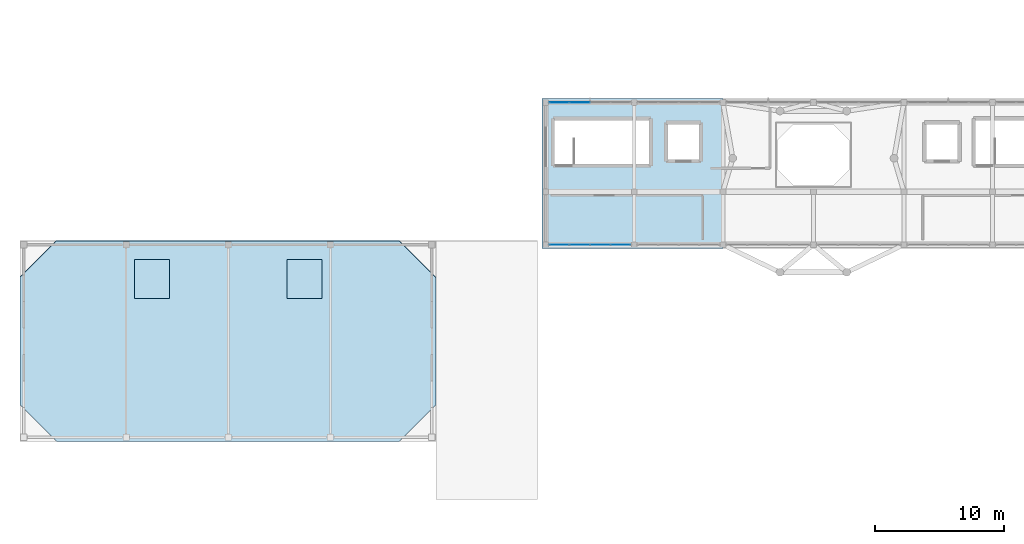
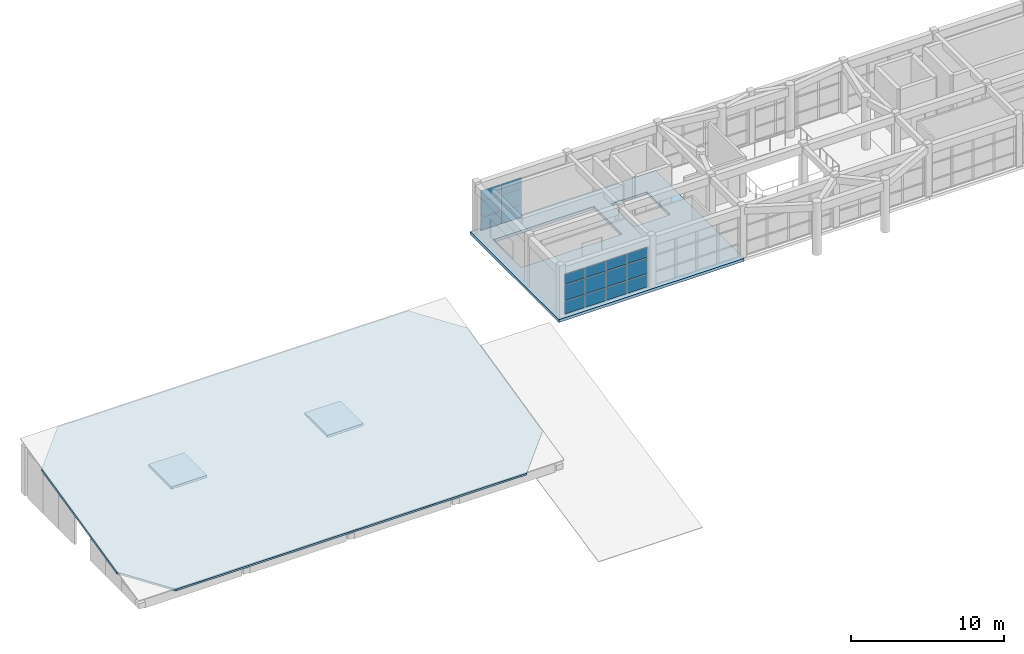
# One storey, part 37 of 66: 18 plates, 4 slabs, 2 elements without a shape of their own.
"""IFC4 building model written with IfcOpenShell, lengths in metres."""

from ifc_helpers import new_model, si_unit, direction, frame, origin, origin_2d, place, context, subcontext, project, spatial, polyline, rectangle, outline, extrude, material, layer, layer_set, type_object, element, aggregate, save


model = new_model("IFC4")

# Units and contexts
model_context = context("Model", 3, precision=1e-05, world=origin(), true_north=direction((0.0, 1.0)))
body_context = subcontext(model_context, "Body", "Model", "MODEL_VIEW")
ifc_project = project(units=[si_unit("LENGTHUNIT", "METRE"), si_unit("AREAUNIT", "SQUARE_METRE"), si_unit("VOLUMEUNIT", "CUBIC_METRE"), si_unit("PLANEANGLEUNIT", "RADIAN"), si_unit("MASSUNIT", "GRAM", prefix="KILO")], contexts=[model_context])

# Site, building, storey
site_placement = place(None, origin())
site = spatial("IfcSite", under=ifc_project, at=site_placement, CompositionType="ELEMENT")
building_placement = place(site_placement, origin())
building = spatial("IfcBuilding", under=site, at=building_placement, Name="Candilejo Ridge Gondola Terminal", CompositionType="ELEMENT")
storey_placement = place(building_placement, frame((0.0, 0.0, 14.39990234375)))
storey = spatial("IfcBuildingStorey", under=building, at=storey_placement, Name="L03", CompositionType="ELEMENT", Elevation=14.39990234375)

# Curtain wall, plates
ifc_material_1 = material(Name="Anodised aluminium AA 6063-T6", Category="aluminium")
ifc_layer_1 = layer(ifc_material_1, 0.169921875)
ifc_layer_set_1 = layer_set([ifc_layer_1], Name="ARC-CW-DRUM-3400-635X329")
curtain_wall_type = type_object("IfcCurtainWallType", Name="ARC-CW-DRUM-3400-635X329", PredefinedType="NOTDEFINED", material=ifc_layer_set_1)
curtain_wall_1_placement = place(storey_placement, origin())
curtain_wall_1 = element("IfcCurtainWall", 1, at=curtain_wall_1_placement, inside=storey, type_object=curtain_wall_type, Name="Curtain wall V2 L03-058", PredefinedType="NOTDEFINED")
ifc_material_2 = material(Name="Low-E laminated double glazing 6+12A+6+1.52PVB+6 mm", Category="glass")
ifc_layer_2 = layer(ifc_material_2, 0.028076171875)
ifc_layer_set_2 = layer_set([ifc_layer_2], Name="ARC-CW-GLAZ-PANEL")
plate_type = type_object("IfcPlateType", Name="ARC-CW-GLAZ-PANEL", PredefinedType="CURTAIN_PANEL", material=ifc_layer_set_2)
plate_1_placement = place(storey_placement, frame((45.7099609375, 36.699951171875, 0.06005859375), z_axis=(0.0, 0.0, 1.0), x_axis=(1.0, 0.0, 0.0)))
plate_1 = element("IfcPlate", 2, at=plate_1_placement, type_object=plate_type, Name="CW-63X32 panel 1.1", PredefinedType="CURTAIN_PANEL", context=body_context, shape_type="SweptSolid", body=[
    extrude(rectangle(XDim=1.489990234375, YDim=0.028076171875, at=origin_2d()), origin(), (0.0, 0.0, 1.0), 1.010009765625),
])
plate_2_placement = place(storey_placement, frame((45.7099609375, 36.699951171875, 1.1298828125), z_axis=(0.0, 0.0, 1.0), x_axis=(1.0, 0.0, 0.0)))
plate_2 = element("IfcPlate", 3, at=plate_2_placement, type_object=plate_type, Name="CW-63X32 panel 1.2", PredefinedType="CURTAIN_PANEL", context=body_context, shape_type="SweptSolid", body=[
    extrude(rectangle(XDim=1.489990234375, YDim=0.028076171875, at=origin_2d()), origin(), (0.0, 0.0, 1.0), 1.239990234375),
])
plate_3_placement = place(storey_placement, frame((45.7099609375, 36.699951171875, 2.43017578125), z_axis=(0.0, 0.0, 1.0), x_axis=(1.0, 0.0, 0.0)))
plate_3 = element("IfcPlate", 4, at=plate_3_placement, type_object=plate_type, Name="CW-63X32 panel 1.3", PredefinedType="CURTAIN_PANEL", context=body_context, shape_type="SweptSolid", body=[
    extrude(rectangle(XDim=1.489990234375, YDim=0.028076171875, at=origin_2d()), origin(), (0.0, 0.0, 1.0), 0.800048828125),
])
plate_4_placement = place(storey_placement, frame((47.28125, 36.699951171875, 0.06005859375), z_axis=(0.0, 0.0, 1.0), x_axis=(1.0, 0.0, 0.0)))
plate_4 = element("IfcPlate", 5, at=plate_4_placement, type_object=plate_type, Name="CW-63X32 panel 2.1", PredefinedType="CURTAIN_PANEL", context=body_context, shape_type="SweptSolid", body=[
    extrude(rectangle(XDim=1.5224609375, YDim=0.028076171875, at=origin_2d()), origin(), (0.0, 0.0, 1.0), 1.010009765625),
])
plate_5_placement = place(storey_placement, frame((47.28125, 36.699951171875, 1.1298828125), z_axis=(0.0, 0.0, 1.0), x_axis=(1.0, 0.0, 0.0)))
plate_5 = element("IfcPlate", 6, at=plate_5_placement, type_object=plate_type, Name="CW-63X32 panel 2.2", PredefinedType="CURTAIN_PANEL", context=body_context, shape_type="SweptSolid", body=[
    extrude(rectangle(XDim=1.5224609375, YDim=0.028076171875, at=origin_2d()), origin(), (0.0, 0.0, 1.0), 1.239990234375),
])
plate_6_placement = place(storey_placement, frame((47.28125, 36.699951171875, 2.43017578125), z_axis=(0.0, 0.0, 1.0), x_axis=(1.0, 0.0, 0.0)))
plate_6 = element("IfcPlate", 7, at=plate_6_placement, type_object=plate_type, Name="CW-63X32 panel 2.3", PredefinedType="CURTAIN_PANEL", context=body_context, shape_type="SweptSolid", body=[
    extrude(rectangle(XDim=1.5224609375, YDim=0.028076171875, at=origin_2d()), origin(), (0.0, 0.0, 1.0), 0.800048828125),
])
aggregate(curtain_wall_1, [plate_1, plate_2, plate_3, plate_4, plate_5, plate_6])

curtain_wall_2_placement = place(storey_placement, origin())
curtain_wall_2 = element("IfcCurtainWall", 8, at=curtain_wall_2_placement, inside=storey, type_object=curtain_wall_type, Name="Curtain wall V2 L03-059", PredefinedType="NOTDEFINED")
plate_7_placement = place(storey_placement, frame((45.7099609375, 25.699951171875, 0.06005859375), z_axis=(0.0, 0.0, 1.0), x_axis=(1.0, 0.0, 0.0)))
plate_7 = element("IfcPlate", 9, at=plate_7_placement, type_object=plate_type, Name="CW-63X32 panel 1.1", PredefinedType="CURTAIN_PANEL", context=body_context, shape_type="SweptSolid", body=[
    extrude(rectangle(XDim=1.489990234375, YDim=0.028076171875, at=origin_2d()), origin(), (0.0, 0.0, 1.0), 1.010009765625),
])
plate_8_placement = place(storey_placement, frame((45.7099609375, 25.699951171875, 1.1298828125), z_axis=(0.0, 0.0, 1.0), x_axis=(1.0, 0.0, 0.0)))
plate_8 = element("IfcPlate", 10, at=plate_8_placement, type_object=plate_type, Name="CW-63X32 panel 1.2", PredefinedType="CURTAIN_PANEL", context=body_context, shape_type="SweptSolid", body=[
    extrude(rectangle(XDim=1.489990234375, YDim=0.028076171875, at=origin_2d()), origin(), (0.0, 0.0, 1.0), 1.239990234375),
])
plate_9_placement = place(storey_placement, frame((45.7099609375, 25.699951171875, 2.43017578125), z_axis=(0.0, 0.0, 1.0), x_axis=(1.0, 0.0, 0.0)))
plate_9 = element("IfcPlate", 11, at=plate_9_placement, type_object=plate_type, Name="CW-63X32 panel 1.3", PredefinedType="CURTAIN_PANEL", context=body_context, shape_type="SweptSolid", body=[
    extrude(rectangle(XDim=1.489990234375, YDim=0.028076171875, at=origin_2d()), origin(), (0.0, 0.0, 1.0), 0.800048828125),
])
plate_10_placement = place(storey_placement, frame((47.28125, 25.699951171875, 0.06005859375), z_axis=(0.0, 0.0, 1.0), x_axis=(1.0, 0.0, 0.0)))
plate_10 = element("IfcPlate", 12, at=plate_10_placement, type_object=plate_type, Name="CW-63X32 panel 2.1", PredefinedType="CURTAIN_PANEL", context=body_context, shape_type="SweptSolid", body=[
    extrude(rectangle(XDim=1.5224609375, YDim=0.028076171875, at=origin_2d()), origin(), (0.0, 0.0, 1.0), 1.010009765625),
])
plate_11_placement = place(storey_placement, frame((47.28125, 25.699951171875, 1.1298828125), z_axis=(0.0, 0.0, 1.0), x_axis=(1.0, 0.0, 0.0)))
plate_11 = element("IfcPlate", 13, at=plate_11_placement, type_object=plate_type, Name="CW-63X32 panel 2.2", PredefinedType="CURTAIN_PANEL", context=body_context, shape_type="SweptSolid", body=[
    extrude(rectangle(XDim=1.5224609375, YDim=0.028076171875, at=origin_2d()), origin(), (0.0, 0.0, 1.0), 1.239990234375),
])
plate_12_placement = place(storey_placement, frame((47.28125, 25.699951171875, 2.43017578125), z_axis=(0.0, 0.0, 1.0), x_axis=(1.0, 0.0, 0.0)))
plate_12 = element("IfcPlate", 14, at=plate_12_placement, type_object=plate_type, Name="CW-63X32 panel 2.3", PredefinedType="CURTAIN_PANEL", context=body_context, shape_type="SweptSolid", body=[
    extrude(rectangle(XDim=1.5224609375, YDim=0.028076171875, at=origin_2d()), origin(), (0.0, 0.0, 1.0), 0.800048828125),
])
plate_13_placement = place(storey_placement, frame((48.86865234375, 25.699951171875, 0.06005859375), z_axis=(0.0, 0.0, 1.0), x_axis=(1.0, 0.0, 0.0)))
plate_13 = element("IfcPlate", 15, at=plate_13_placement, type_object=plate_type, Name="CW-63X32 panel 3.1", PredefinedType="CURTAIN_PANEL", context=body_context, shape_type="SweptSolid", body=[
    extrude(rectangle(XDim=1.5224609375, YDim=0.028076171875, at=origin_2d()), origin(), (0.0, 0.0, 1.0), 1.010009765625),
])
plate_14_placement = place(storey_placement, frame((48.86865234375, 25.699951171875, 1.1298828125), z_axis=(0.0, 0.0, 1.0), x_axis=(1.0, 0.0, 0.0)))
plate_14 = element("IfcPlate", 16, at=plate_14_placement, type_object=plate_type, Name="CW-63X32 panel 3.2", PredefinedType="CURTAIN_PANEL", context=body_context, shape_type="SweptSolid", body=[
    extrude(rectangle(XDim=1.5224609375, YDim=0.028076171875, at=origin_2d()), origin(), (0.0, 0.0, 1.0), 1.239990234375),
])
plate_15_placement = place(storey_placement, frame((48.86865234375, 25.699951171875, 2.43017578125), z_axis=(0.0, 0.0, 1.0), x_axis=(1.0, 0.0, 0.0)))
plate_15 = element("IfcPlate", 17, at=plate_15_placement, type_object=plate_type, Name="CW-63X32 panel 3.3", PredefinedType="CURTAIN_PANEL", context=body_context, shape_type="SweptSolid", body=[
    extrude(rectangle(XDim=1.5224609375, YDim=0.028076171875, at=origin_2d()), origin(), (0.0, 0.0, 1.0), 0.800048828125),
])
plate_16_placement = place(storey_placement, frame((50.43994140625, 25.699951171875, 0.06005859375), z_axis=(0.0, 0.0, 1.0), x_axis=(1.0, 0.0, 0.0)))
plate_16 = element("IfcPlate", 18, at=plate_16_placement, type_object=plate_type, Name="CW-63X32 panel 4.1", PredefinedType="CURTAIN_PANEL", context=body_context, shape_type="SweptSolid", body=[
    extrude(rectangle(XDim=1.489990234375, YDim=0.028076171875, at=origin_2d()), origin(), (0.0, 0.0, 1.0), 1.010009765625),
])
plate_17_placement = place(storey_placement, frame((50.43994140625, 25.699951171875, 1.1298828125), z_axis=(0.0, 0.0, 1.0), x_axis=(1.0, 0.0, 0.0)))
plate_17 = element("IfcPlate", 19, at=plate_17_placement, type_object=plate_type, Name="CW-63X32 panel 4.2", PredefinedType="CURTAIN_PANEL", context=body_context, shape_type="SweptSolid", body=[
    extrude(rectangle(XDim=1.489990234375, YDim=0.028076171875, at=origin_2d()), origin(), (0.0, 0.0, 1.0), 1.239990234375),
])
plate_18_placement = place(storey_placement, frame((50.43994140625, 25.699951171875, 2.43017578125), z_axis=(0.0, 0.0, 1.0), x_axis=(1.0, 0.0, 0.0)))
plate_18 = element("IfcPlate", 20, at=plate_18_placement, type_object=plate_type, Name="CW-63X32 panel 4.3", PredefinedType="CURTAIN_PANEL", context=body_context, shape_type="SweptSolid", body=[
    extrude(rectangle(XDim=1.489990234375, YDim=0.028076171875, at=origin_2d()), origin(), (0.0, 0.0, 1.0), 0.800048828125),
])
aggregate(curtain_wall_2, [plate_7, plate_8, plate_9, plate_10, plate_11, plate_12, plate_13, plate_14, plate_15, plate_16, plate_17, plate_18])

# Slabs
ifc_material_3 = material(Name="Concrete f'c 35 MPa (C35/45)", Category="concrete")
ifc_layer_3 = layer(ifc_material_3, 0.22509765625)
ifc_layer_set_3 = layer_set([ifc_layer_3], Name="STR-FLOOR-SLAB-225")
slab_type_1 = type_object("IfcSlabType", Name="STR-FLOOR-SLAB-225", PredefinedType="FLOOR", material=ifc_layer_set_3)
slab_1_placement = place(storey_placement, frame((0.0, 0.0, -0.224853515625)))
element("IfcSlab", 21, at=slab_1_placement, inside=storey, type_object=slab_type_1, Name="Slab SLB-V2-L03-W", PredefinedType="FLOOR", context=body_context, shape_type="SweptSolid", body=[
    extrude(outline(polyline([(44.35009765625, 25.39990234375), (58.35009765625, 25.39990234375), (58.35009765625, 37.0), (44.35009765625, 37.0), (44.35009765625, 25.39990234375)]), holes=[polyline([(45.199951171875, 31.800048828125), (52.800048828125, 31.800048828125), (52.800048828125, 35.449951171875), (45.199951171875, 35.449951171875), (45.199951171875, 31.800048828125)]), polyline([(53.949951171875, 32.14990234375), (56.64990234375, 32.14990234375), (56.64990234375, 35.14990234375), (53.949951171875, 35.14990234375), (53.949951171875, 32.14990234375)])]), origin(), (0.0, 0.0, 1.0), 0.224853515625),
])
ifc_material_4 = material(Name="Concrete f'c 35 MPa (C35/45)", Category="concrete")
ifc_layer_4 = layer(ifc_material_4, 0.179931640625)
ifc_layer_set_4 = layer_set([ifc_layer_4], Name="STR-ROOF-SLAB-180")
slab_type_2 = type_object("IfcSlabType", Name="STR-ROOF-SLAB-180", PredefinedType="ROOF", material=ifc_layer_set_4)
slab_2_placement = place(storey_placement, frame((6.82373046875, 10.5, 0.650146484375), z_axis=(0.0, -0.224946225367, 0.97437117963), x_axis=(1.0, 0.0, 0.0)))
element("IfcSlab", 22, at=slab_2_placement, inside=storey, type_object=slab_type_2, Name="Sloped standing-seam roof deck RF-V1-MAIN", PredefinedType="ROOF", context=body_context, shape_type="SweptSolid", body=[
    extrude(outline(polyline([(0.0, 0.0), (26.502685546875, 0.0), (29.326171875, 2.897994014972652), (29.326171875, 13.009699900442364), (26.502685546875, 15.907693915415017), (0.0, 15.907693915415017), (-2.82373046875, 13.009699900442364), (-2.82373046875, 2.897994014972652), (0.0, 0.0)])), origin(), (0.0, 0.0, -1.0), 0.179931640625),
])
ifc_material_5 = material(Name="Concrete f'c 35 MPa (C35/45)", Category="concrete")
ifc_layer_5 = layer(ifc_material_5, 0.195068359375)
ifc_layer_set_5 = layer_set([ifc_layer_5], Name="STR-ROOF-SLAB-195")
slab_type_3 = type_object("IfcSlabType", Name="STR-ROOF-SLAB-195", PredefinedType="ROOF", material=ifc_layer_set_5)
slab_3_placement = place(storey_placement, frame((0.0, 0.0, -0.19482421875)))
element("IfcSlab", 23, at=slab_3_placement, inside=storey, type_object=slab_type_3, Name="Lift shaft roof slab C-V1A", PredefinedType="ROOF", context=body_context, shape_type="SweptSolid", body=[
    extrude(outline(polyline([(12.85009765625, 21.550048828125), (15.550048828125, 21.550048828125), (15.550048828125, 24.550048828125), (12.85009765625, 24.550048828125), (12.85009765625, 21.550048828125)])), origin(), (0.0, 0.0, 1.0), 0.19482421875),
])
slab_4_placement = place(storey_placement, frame((0.0, 0.0, -0.19482421875)))
element("IfcSlab", 24, at=slab_4_placement, inside=storey, type_object=slab_type_3, Name="Lift shaft roof slab C-V1B", PredefinedType="ROOF", context=body_context, shape_type="SweptSolid", body=[
    extrude(outline(polyline([(24.64990234375, 21.550048828125), (27.35009765625, 21.550048828125), (27.35009765625, 24.550048828125), (24.64990234375, 24.550048828125), (24.64990234375, 21.550048828125)])), origin(), (0.0, 0.0, 1.0), 0.19482421875),
])

save(model, "model.ifc")
